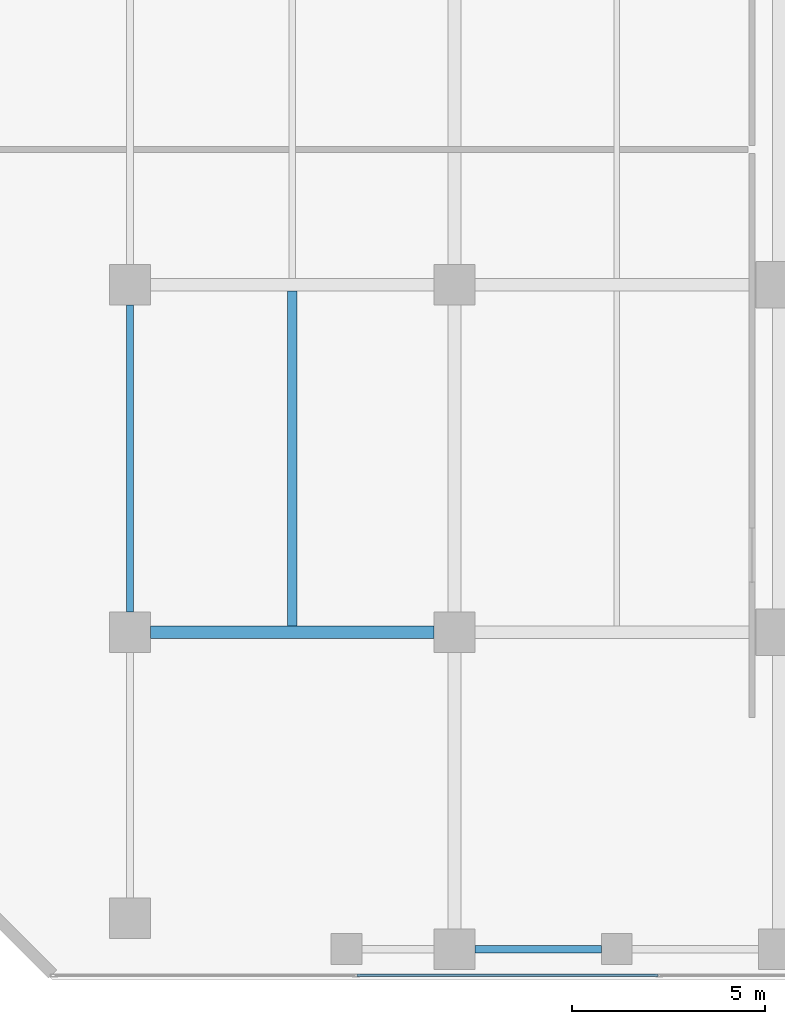
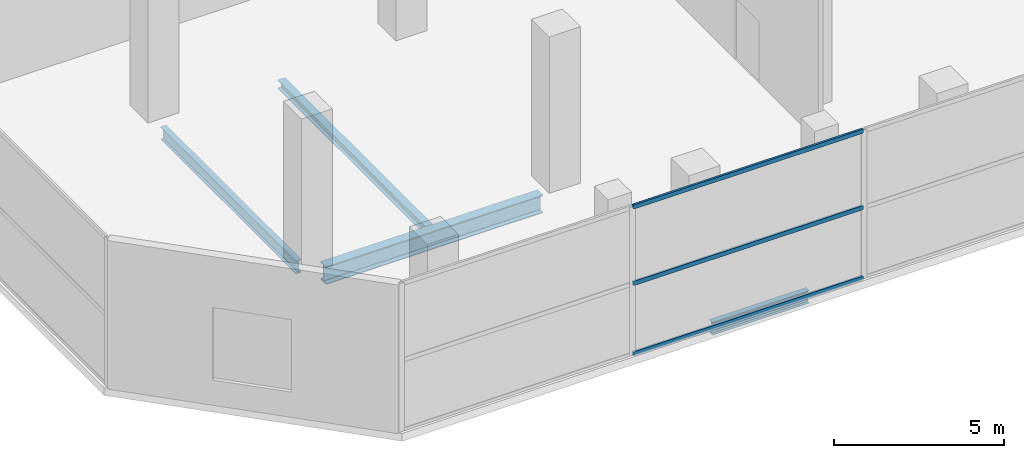
# One storey, part 5 of 40: 4 beams, 3 members, 1 element without a shape of its own.
"""IFC4 building model written with IfcOpenShell, lengths in metres."""

from ifc_helpers import new_model, si_unit, direction, frame, origin, origin_2d, place, context, subcontext, project, spatial, hollow_rectangle, i_section, extrude, material, layer, layer_set, material_profile, profile_set, type_object, element, aggregate, save


model = new_model("IFC4")

# Units and contexts
model_context = context("Model", 3, precision=1e-05, world=origin(), true_north=direction((0.0, 1.0)))
body_context = subcontext(model_context, "Body", "Model", "MODEL_VIEW")
ifc_project = project(units=[si_unit("LENGTHUNIT", "METRE"), si_unit("AREAUNIT", "SQUARE_METRE"), si_unit("VOLUMEUNIT", "CUBIC_METRE"), si_unit("PLANEANGLEUNIT", "RADIAN"), si_unit("MASSUNIT", "GRAM", prefix="KILO")], contexts=[model_context])

# Site, building, storey
site_placement = place(None, origin())
site = spatial("IfcSite", under=ifc_project, at=site_placement, CompositionType="ELEMENT")
building_placement = place(site_placement, origin())
building = spatial("IfcBuilding", under=site, at=building_placement, Name="Maruvema Waterfront Hotel and Observation Tower", CompositionType="ELEMENT")
storey_placement = place(building_placement, frame((0.0, 0.0, 10.85009765625)))
storey = spatial("IfcBuildingStorey", under=building, at=storey_placement, Name="L02", CompositionType="ELEMENT", Elevation=10.85009765625)

# Curtain wall, members
ifc_material_1 = material(Name="Anodised bronze aluminium and solar-control low-E IGU", Category="aluminium")
ifc_layer = layer(ifc_material_1, 0.159912109375, Name="Podium Waterfront Storefront Curtain Wall System CW-01")
ifc_layer_set = layer_set([ifc_layer], Name="Anodised bronze aluminium and solar-control low-E IGU")
curtain_wall_type = type_object("IfcCurtainWallType", Name="Podium Waterfront Storefront Curtain Wall System CW-01", PredefinedType="USERDEFINED", material=ifc_layer_set)
curtain_wall_placement = place(storey_placement, origin())
curtain_wall = element("IfcCurtainWall", 1, at=curtain_wall_placement, inside=storey, type_object=curtain_wall_type, Name="L02 Curtain Wall CW-L02-S", ObjectType="UNITISED CURTAIN WALL", PredefinedType="USERDEFINED")
ifc_material_2 = material(Name="Anodised architectural bronze aluminium", Category="aluminium")
ifc_material_profile_1 = material_profile(ifc_material_2, hollow_rectangle(XDim=0.070068359375, YDim=0.14990234375, WallThickness=0.00390625, at=origin_2d()), Name="ALU-T70x150")
ifc_profile_set_1 = profile_set([ifc_material_profile_1], Name="Anodised architectural bronze aluminium")
member_type = type_object("IfcMemberType", Name="Curtain Wall Horizontal Transom ALU-T70x150", PredefinedType="USERDEFINED", material=ifc_profile_set_1)
member_1_placement = place(storey_placement, frame((14.280029296875, 0.1201171875, 0.02978515625), z_axis=(1.0, 0.0, 0.0), x_axis=(0.0, 1.0, 0.0)))
member_1 = element("IfcMember", 2, at=member_1_placement, type_object=member_type, Name="CW-01 transom 2.1", ObjectType="TRANSOM", PredefinedType="USERDEFINED", context=body_context, shape_type="SweptSolid", body=[
    extrude(hollow_rectangle(XDim=0.070068359375, YDim=0.14990234375, WallThickness=0.00390625, at=origin_2d()), origin(), (0.0, 0.0, 1.0), 7.7900390625),
])
member_2_placement = place(storey_placement, frame((14.280029296875, 0.1201171875, 2.5498046875), z_axis=(1.0, 0.0, 0.0), x_axis=(0.0, 1.0, 0.0)))
member_2 = element("IfcMember", 3, at=member_2_placement, type_object=member_type, Name="CW-01 transom 2.2", ObjectType="TRANSOM", PredefinedType="USERDEFINED", context=body_context, shape_type="SweptSolid", body=[
    extrude(hollow_rectangle(XDim=0.070068359375, YDim=0.14990234375, WallThickness=0.00390625, at=origin_2d()), origin(), (0.0, 0.0, 1.0), 7.7900390625),
])
member_3_placement = place(storey_placement, frame((14.280029296875, 0.1201171875, 5.289794921875), z_axis=(1.0, 0.0, 0.0), x_axis=(0.0, 1.0, 0.0)))
member_3 = element("IfcMember", 4, at=member_3_placement, type_object=member_type, Name="CW-01 transom 2.3", ObjectType="TRANSOM", PredefinedType="USERDEFINED", context=body_context, shape_type="SweptSolid", body=[
    extrude(hollow_rectangle(XDim=0.070068359375, YDim=0.14990234375, WallThickness=0.00390625, at=origin_2d()), origin(), (0.0, 0.0, 1.0), 7.7900390625),
])
aggregate(curtain_wall, [member_1, member_2, member_3])

# Beams
ifc_material_3 = material(Name="Steel ASTM A572 Grade 50", Category="steel")
ifc_material_profile_2 = material_profile(ifc_material_3, i_section(OverallWidth=0.18994140625, OverallDepth=0.45703125, WebThickness=0.009033203125, FlangeThickness=0.014404296875, FilletRadius=0.014892578125, at=origin_2d()), Name="W460x74.0")
ifc_profile_set_2 = profile_set([ifc_material_profile_2], Name="Steel ASTM A572 Grade 50")
beam_type_1 = type_object("IfcBeamType", Name="Perimeter Spandrel Beam W460x74.0", PredefinedType="SPANDREL", material=ifc_profile_set_2)
beam_1_placement = place(storey_placement, frame((17.324951171875, 0.800048828125, -0.508544921875), z_axis=(1.0, 0.0, 0.0), x_axis=(0.0, 1.0, 0.0)))
element("IfcBeam", 5, at=beam_1_placement, inside=storey, type_object=beam_type_1, Name="L02 Floor Girder EW-02", PredefinedType="SPANDREL", context=body_context, shape_type="SweptSolid", body=[
    extrude(i_section(OverallWidth=0.18994140625, OverallDepth=0.45703125, WebThickness=0.009033203125, FlangeThickness=0.014404296875, FilletRadius=0.014892578125, at=origin_2d()), origin(), (0.0, 0.0, 1.0), 3.275146484375),
])
beam_2_placement = place(storey_placement, frame((8.39990234375, 9.52490234375, -0.508544921875), z_axis=(0.0, 1.0, 0.0), x_axis=(-1.0, 0.0, 0.0)))
element("IfcBeam", 6, at=beam_2_placement, inside=storey, type_object=beam_type_1, Name="L02 Floor Girder NS-02", PredefinedType="SPANDREL", context=body_context, shape_type="SweptSolid", body=[
    extrude(i_section(OverallWidth=0.18994140625, OverallDepth=0.45703125, WebThickness=0.009033203125, FlangeThickness=0.014404296875, FilletRadius=0.014892578125, at=origin_2d()), origin(), (0.0, 0.0, 1.0), 7.9501953125),
])
ifc_material_4 = material(Name="Steel ASTM A572 Grade 50", Category="steel")
ifc_material_profile_3 = material_profile(ifc_material_4, i_section(OverallWidth=0.3291015625, OverallDepth=0.635009765625, WebThickness=0.017822265625, FlangeThickness=0.031005859375, FilletRadius=0.01806640625, at=origin_2d()), Name="W610x241.0")
ifc_profile_set_3 = profile_set([ifc_material_profile_3], Name="Steel ASTM A572 Grade 50")
beam_type_2 = type_object("IfcBeamType", Name="Primary Floor Girder W610x241.0", PredefinedType="BEAM", material=ifc_profile_set_3)
beam_3_placement = place(storey_placement, frame((8.925048828125, 9.0, -0.59765625), z_axis=(1.0, 0.0, 0.0), x_axis=(0.0, 1.0, 0.0)))
element("IfcBeam", 7, at=beam_3_placement, inside=storey, type_object=beam_type_2, Name="L02 Floor Girder EW-10", PredefinedType="BEAM", context=body_context, shape_type="SweptSolid", body=[
    extrude(i_section(OverallWidth=0.3291015625, OverallDepth=0.635009765625, WebThickness=0.017822265625, FlangeThickness=0.031005859375, FilletRadius=0.01806640625, at=origin_2d()), origin(), (0.0, 0.0, 1.0), 7.349853515625),
])
ifc_material_5 = material(Name="Steel ASTM A572 Grade 50", Category="steel")
ifc_material_profile_4 = material_profile(ifc_material_5, i_section(OverallWidth=0.25390625, OverallDepth=0.305908203125, WebThickness=0.0087890625, FlangeThickness=0.0146484375, FilletRadius=0.014892578125, at=origin_2d()), Name="W310x79.0")
ifc_profile_set_4 = profile_set([ifc_material_profile_4], Name="Steel ASTM A572 Grade 50")
beam_type_3 = type_object("IfcBeamType", Name="Secondary Floor Joist W310x79.0", PredefinedType="JOIST", material=ifc_profile_set_4)
beam_4_placement = place(storey_placement, frame((12.60009765625, 9.16455078125, -0.43310546875), z_axis=(0.0, 1.0, 0.0), x_axis=(-1.0, 0.0, 0.0)))
element("IfcBeam", 8, at=beam_4_placement, inside=storey, type_object=beam_type_3, Name="L02 Secondary Floor Joist JS-01", PredefinedType="JOIST", context=body_context, shape_type="SweptSolid", body=[
    extrude(i_section(OverallWidth=0.25390625, OverallDepth=0.305908203125, WebThickness=0.0087890625, FlangeThickness=0.0146484375, FilletRadius=0.014892578125, at=origin_2d()), origin(), (0.0, 0.0, 1.0), 8.6708984375),
])

save(model, "model.ifc")
